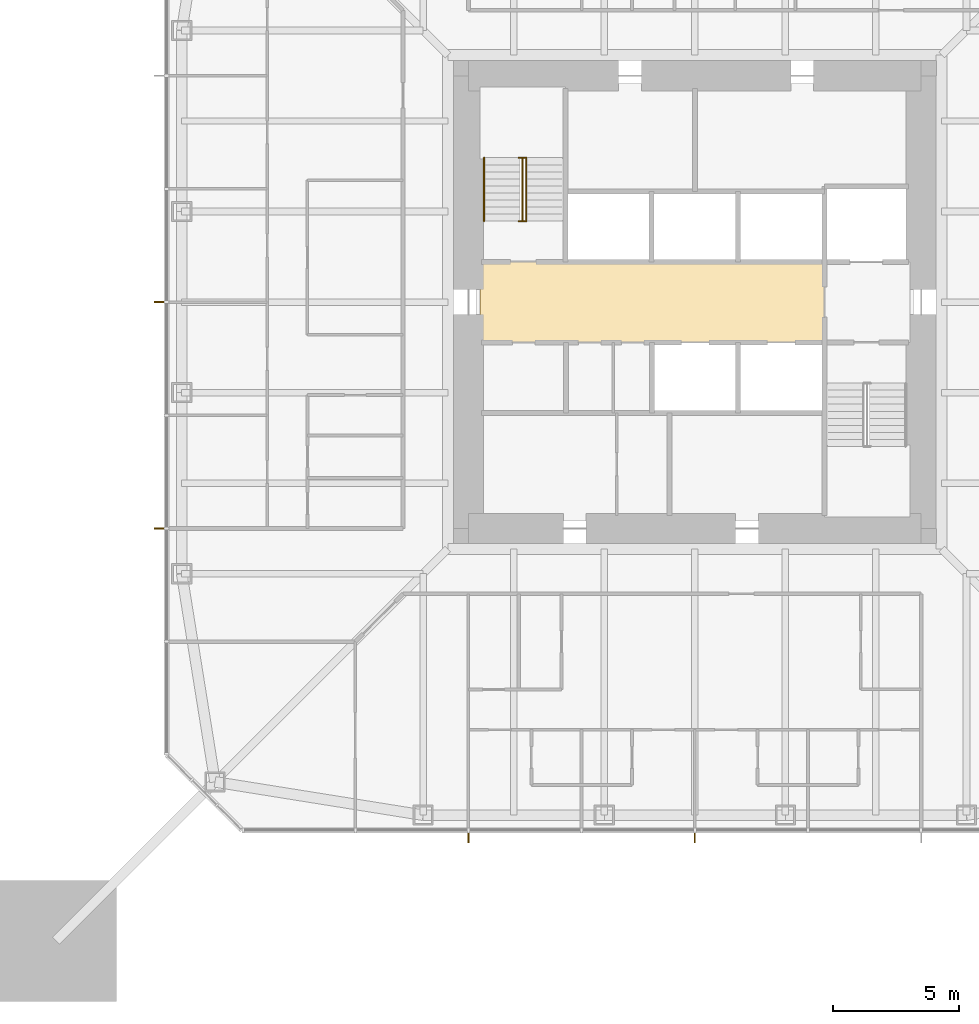
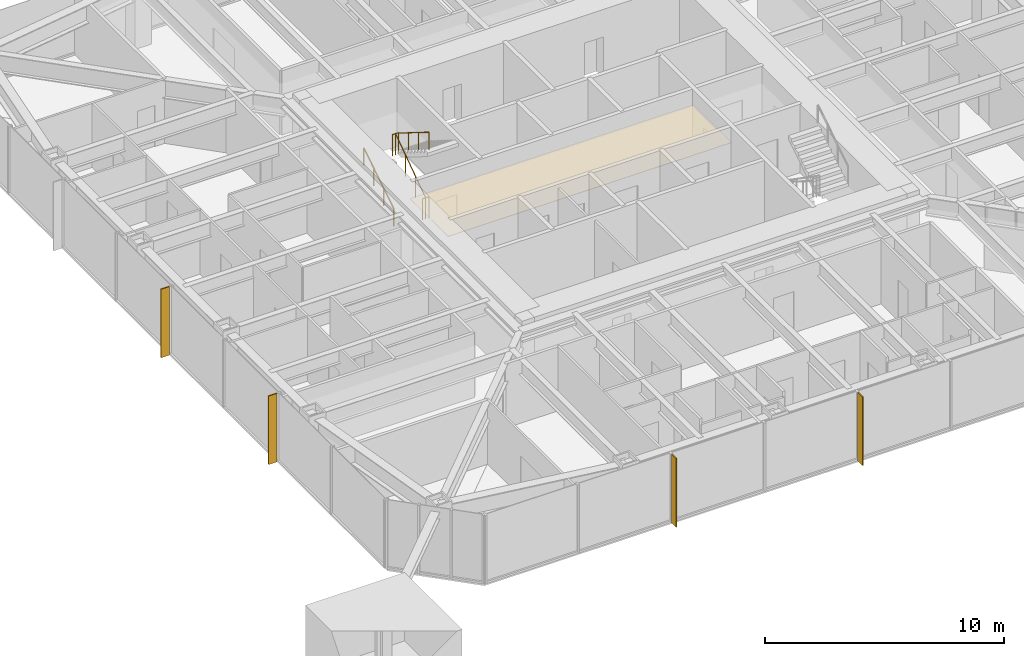
# One storey, part 23 of 27: 4 shading devices, 3 railings, 1 covering.
"""IFC4 building model written with IfcOpenShell, lengths in metres."""

import ifcopenshell
import ifcopenshell.guid

model = None  # the IFC model being written
_history = None  # IfcOwnerHistory: only IFC2X3 demands one
_inside = {}  # id of a spatial element -> (the spatial element, [elements in it])
_under = {}  # id of a project, library or spatial element -> (it, [spatial elements below it])
_declared = {}  # id of a project -> (the project, [libraries it declares])
_typed = {}  # id of a type object -> (the type object, [elements of that type])
_made_of = {}  # id of a material, layer set ... -> (it, [elements and type objects made of it])


def new_model(schema):
    """Start an empty IFC model of exactly this schema.

    Asked for "IFC4X3", IfcOpenShell would pick the latest addendum, in which some entities
    have other attributes; the version numbers below select the first issue.
    IFC2X3 requires an IfcOwnerHistory on every rooted entity: one is made here for all.
    """
    global model, _history
    if schema == "IFC4X3":
        model = ifcopenshell.file(schema_version=(4, 3, 0, 0))
    else:
        model = ifcopenshell.file(schema=schema)
    _inside.clear()
    _under.clear()
    _declared.clear()
    _typed.clear()
    _made_of.clear()
    _history = None
    if model.schema == "IFC2X3":
        org = make("IfcOrganization", Name="unknown")
        user = make(
            "IfcPersonAndOrganization",
            ThePerson=make("IfcPerson", FamilyName="unknown"),
            TheOrganization=org,
        )
        app = make(
            "IfcApplication",
            ApplicationDeveloper=org,
            Version="unknown",
            ApplicationFullName="unknown",
            ApplicationIdentifier="unknown",
        )
        _history = make(
            "IfcOwnerHistory",
            OwningUser=user,
            OwningApplication=app,
            ChangeAction="ADDED",
            CreationDate=0,
        )
    return model


def make(cls, **values):
    """One entity of the class cls with the attributes given. An attribute that is None is left unset."""
    return model.create_entity(
        cls, **{name: value for name, value in values.items() if value is not None}
    )


def rooted(cls, **values):
    """An entity with a GlobalId (a new one), such as an element, a storey or a relation."""
    return make(cls, GlobalId=ifcopenshell.guid.new(), OwnerHistory=_history, **values)


def si_unit(unit_type, name, prefix=None):
    """IfcSIUnit, for example si_unit("LENGTHUNIT", "METRE", prefix="MILLI")."""
    return make("IfcSIUnit", UnitType=unit_type, Prefix=prefix, Name=name)


def assignment(units):
    """IfcUnitAssignment: the units of a project."""
    return None if units is None else make("IfcUnitAssignment", Units=units)


def point(xyz):
    """IfcCartesianPoint."""
    return None if xyz is None else make("IfcCartesianPoint", Coordinates=xyz)


def direction(xyz):
    """IfcDirection."""
    return None if xyz is None else make("IfcDirection", DirectionRatios=xyz)


def frame(location, z_axis=None, x_axis=None):
    """IfcAxis2Placement3D, a coordinate frame: its origin and axes. An axis left out is left unset."""
    return make(
        "IfcAxis2Placement3D",
        Location=point(location),
        Axis=direction(z_axis),
        RefDirection=direction(x_axis),
    )


def frame_2d(location, x_axis=None):
    """IfcAxis2Placement2D, a coordinate frame in the plane: its origin and x axis."""
    return make(
        "IfcAxis2Placement2D", Location=point(location), RefDirection=direction(x_axis)
    )


def origin():
    """The frame at (0, 0, 0) with its axes left unset."""
    return frame((0.0, 0.0, 0.0))


def origin_2d():
    """The frame at (0, 0) in the plane with its x axis left unset."""
    return frame_2d((0.0, 0.0))


def place(relative_to, where):
    """IfcLocalPlacement: puts the frame where relative to a parent placement (None: the world)."""
    return make(
        "IfcLocalPlacement", PlacementRelTo=relative_to, RelativePlacement=where
    )


def context(
    kind, dimensions, precision=None, world=None, true_north=None, identifier=None
):
    """IfcGeometricRepresentationContext, for example the 3D "Model" context."""
    return make(
        "IfcGeometricRepresentationContext",
        ContextIdentifier=identifier,
        ContextType=kind,
        CoordinateSpaceDimension=dimensions,
        Precision=precision,
        WorldCoordinateSystem=world,
        TrueNorth=true_north,
    )


def subcontext(parent, identifier, kind, view, scale=None):
    """IfcGeometricRepresentationSubContext, for example "Body" below "Model"."""
    return make(
        "IfcGeometricRepresentationSubContext",
        ContextIdentifier=identifier,
        ContextType=kind,
        ParentContext=parent,
        TargetScale=scale,
        TargetView=view,
    )


def project(units=None, contexts=None):
    """IfcProject with its units and contexts."""
    return rooted(
        "IfcProject",
        Name="project",
        RepresentationContexts=contexts,
        UnitsInContext=assignment(units),
    )


def spatial(cls, under=None, at=None, **own):
    """A site, building, storey or space (cls), placed at a placement, below another one or the project."""
    s = rooted(cls, ObjectPlacement=at, **own)
    if under is not None:
        _under.setdefault(under.id(), (under, []))[1].append(s)
    return s


def polyline(points):
    """IfcPolyline through the points."""
    return make("IfcPolyline", Points=[point(p) for p in points])


def profile(cls, at=None, kind="AREA", **sizes):
    """A parametric profile (cls). Its sizes go by their IFC names, for example OverallWidth=200.0."""
    return make(cls, ProfileType=kind, Position=at, **sizes)


def rectangle(**sizes):
    """IfcRectangleProfileDef."""
    return profile("IfcRectangleProfileDef", **sizes)


def circle(**sizes):
    """IfcCircleProfileDef."""
    return profile("IfcCircleProfileDef", **sizes)


def outline(outer, holes=None, kind="AREA"):
    """IfcArbitraryClosedProfileDef: a profile drawn as a closed curve; with holes, ...WithVoids."""
    if holes is None:
        return make("IfcArbitraryClosedProfileDef", ProfileType=kind, OuterCurve=outer)
    return make(
        "IfcArbitraryProfileDefWithVoids",
        ProfileType=kind,
        OuterCurve=outer,
        InnerCurves=holes,
    )


def extrude(swept, where, along, depth):
    """IfcExtrudedAreaSolid: the profile swept, set in the frame where, extruded along a direction by depth."""
    return make(
        "IfcExtrudedAreaSolid",
        SweptArea=swept,
        Position=where,
        ExtrudedDirection=direction(along),
        Depth=depth,
    )


def shape(context_of_items, identifier, shape_type, items):
    """IfcShapeRepresentation: the items that make up one representation, for example the "Body"."""
    return make(
        "IfcShapeRepresentation",
        ContextOfItems=context_of_items,
        RepresentationIdentifier=identifier,
        RepresentationType=shape_type,
        Items=items,
    )


def material(Name=None, Category=None):
    """IfcMaterial."""
    return make("IfcMaterial", Name=Name, Category=Category)


def layer(
    of_material, thickness, ventilated=None, Name=None, Category=None, Priority=None
):
    """IfcMaterialLayer: one layer of a wall or slab, of a material (None: an air gap)."""
    return make(
        "IfcMaterialLayer",
        Material=of_material,
        LayerThickness=thickness,
        IsVentilated=ventilated,
        Name=Name,
        Category=Category,
        Priority=Priority,
    )


def layer_set(layers, Name=None):
    """IfcMaterialLayerSet."""
    return make("IfcMaterialLayerSet", MaterialLayers=layers, LayerSetName=Name)


def constituent(of_material, Name=None, Category=None, fraction=None):
    """IfcMaterialConstituent: one of the materials an element consists of."""
    return make(
        "IfcMaterialConstituent",
        Name=Name,
        Material=of_material,
        Fraction=fraction,
        Category=Category,
    )


def constituent_set(constituents=None, Name=None):
    """IfcMaterialConstituentSet."""
    return make(
        "IfcMaterialConstituentSet", Name=Name, MaterialConstituents=constituents
    )


def made_of(thing, what):
    """Note that an element or type object is made of a material, layer set ...; save() writes the relation."""
    if what is not None:
        _made_of.setdefault(what.id(), (what, []))[1].append(thing)
    return thing


def type_object(cls, material=None, **own):
    """A type object (cls), such as IfcWallType, which elements share."""
    return made_of(rooted(cls, **own), material)


def element(
    cls,
    number,
    at=None,
    inside=None,
    cuts=None,
    type_object=None,
    material=None,
    context=None,
    identifier="Body",
    shape_type=None,
    held_by="IfcProductDefinitionShape",
    body=None,
    shapes=None,
    **own,
):
    """One element of the class cls, such as IfcWall. Its Tag is "e" and its number.

    at: its placement. inside: the storey or other place that contains it. cuts: it is an
    opening in that element (IfcRelVoidsElement). A single representation is given by context,
    identifier, shape_type and body (its items); several are given by shapes. held_by: the class
    of the entity that holds the representations. save() writes the other relations.
    """
    e = rooted(cls, Tag="e%d" % number, ObjectPlacement=at, **own)
    if body is not None:
        shapes = [shape(context, identifier, shape_type, body)]
    if shapes is not None:
        e.Representation = make(held_by, Representations=shapes)
    if inside is not None:
        _inside.setdefault(inside.id(), (inside, []))[1].append(e)
    if cuts is not None:
        rooted(
            "IfcRelVoidsElement", RelatingBuildingElement=cuts, RelatedOpeningElement=e
        )
    if type_object is not None:
        _typed.setdefault(type_object.id(), (type_object, []))[1].append(e)
    return made_of(e, material)


def aggregate(whole, parts):
    """IfcRelAggregates: a whole, such as a stair, and the parts it consists of."""
    return rooted("IfcRelAggregates", RelatingObject=whole, RelatedObjects=parts)


def save(model, path):
    """Write the relations noted so far, then the file.

    IfcRelAggregates (storeys below a building ...), IfcRelContainedInSpatialStructure (elements
    in a storey), IfcRelDefinesByType, IfcRelAssociatesMaterial and IfcRelDeclares: one each for
    every whole, place, type object, material and project.
    """
    for whole, parts in _under.values():
        aggregate(whole, parts)
    for where, things in _inside.values():
        rooted(
            "IfcRelContainedInSpatialStructure",
            RelatedElements=things,
            RelatingStructure=where,
        )
    for kind, things in _typed.values():
        rooted("IfcRelDefinesByType", RelatedObjects=things, RelatingType=kind)
    for what, things in _made_of.values():
        rooted("IfcRelAssociatesMaterial", RelatedObjects=things, RelatingMaterial=what)
    for by, libraries in _declared.values():
        rooted("IfcRelDeclares", RelatingContext=by, RelatedDefinitions=libraries)
    model.write(path)


model = new_model("IFC4")

# Units and contexts
model_context = context("Model", 3, precision=1e-05, world=origin(), true_north=direction((0.0, 1.0)))
body_context = subcontext(model_context, "Body", "Model", "MODEL_VIEW")
ifc_project = project(units=[si_unit("LENGTHUNIT", "METRE"), si_unit("AREAUNIT", "SQUARE_METRE"), si_unit("VOLUMEUNIT", "CUBIC_METRE"), si_unit("PLANEANGLEUNIT", "RADIAN"), si_unit("MASSUNIT", "GRAM", prefix="KILO")], contexts=[model_context])

# Site, building, storey
site_placement = place(None, origin())
site = spatial("IfcSite", under=ifc_project, at=site_placement, CompositionType="ELEMENT")
building_placement = place(site_placement, origin())
building = spatial("IfcBuilding", under=site, at=building_placement, Name="Iwan Alto Co-Living Towers", CompositionType="ELEMENT")
storey_placement = place(building_placement, frame((0.0, 0.0, 94.5)))
storey = spatial("IfcBuildingStorey", under=building, at=storey_placement, Name="L25", CompositionType="ELEMENT", Elevation=94.5)

# Covering
ifc_material_1 = material(Name="Mineral fibre acoustic tiles on steel grid", Category="steel")
ifc_layer_1 = layer(ifc_material_1, 0.02001953125)
ifc_layer_set_1 = layer_set([ifc_layer_1], Name="ACOUSTIC TILE CEILING 20")
covering_type = type_object("IfcCoveringType", Name="ACOUSTIC TILE CEILING 20", PredefinedType="CEILING", material=ifc_layer_set_1)
covering_placement = place(storey_placement, frame((0.0, 0.0, 2.60009765625)))
element("IfcCovering", 1, at=covering_placement, inside=storey, type_object=covering_type, Name="Ceiling Lift lobby L25", PredefinedType="CEILING", context=body_context, shape_type="SweptSolid", body=[
    extrude(outline(polyline([(-8.550048828125, -1.60009765625), (-8.550048828125, 1.60009765625), (5.14990234375, 1.60009765625), (5.14990234375, -1.60009765625), (-8.550048828125, -1.60009765625)])), origin(), (0.0, 0.0, 1.0), 0.02001953125),
])

# Shading devices
ifc_material_2 = material(Name="Aluminium 6063-T6 bronze anodised", Category="aluminium")
ifc_layer_2 = layer(ifc_material_2, 0.050048828125)
ifc_layer_set_2 = layer_set([ifc_layer_2], Name="BRONZE FIN 50X400")
shading_device_type = type_object("IfcShadingDeviceType", Name="BRONZE FIN 50X400", PredefinedType="USERDEFINED", material=ifc_layer_set_2)
for number, where, z_axis, x_axis, name in (
    (2, (-9.0, -21.300048828125, 0.0), (0.0, 0.0, 1.0), (1.0, 0.0, 0.0), "Bronze fin L25"),
    (3, (0.0, -21.300048828125, 0.0), (0.0, 0.0, 1.0), (1.0, 0.0, 0.0), "Bronze fin L25"),
    (4, (-21.300048828125, 0.0, 0.0), (0.0, 0.0, 1.0), (0.0, -1.0, 0.0), "Bronze fin L25"),
    (5, (-21.300048828125, -9.0, 0.0), (0.0, 0.0, 1.0), (0.0, -1.0, 0.0), "Bronze fin L25"),
):
    element("IfcShadingDevice", number, at=place(storey_placement, frame(where, z_axis=z_axis, x_axis=x_axis)), inside=storey, type_object=shading_device_type, Name=name, ObjectType="LOUVER", PredefinedType="USERDEFINED", context=body_context, shape_type="SweptSolid", body=[
        extrude(rectangle(XDim=0.050048828125, YDim=0.39990234375, at=origin_2d()), origin(), (0.0, 0.0, 1.0), 3.5),
    ])

# Railings
ifc_material_3 = material(Name="Steel ASTM A500 Gr C", Category="steel")
ifc_constituent_1 = constituent(ifc_material_3, Name="Rails and posts", Category="Framing")
ifc_material_4 = material(Name="Steel ASTM A36", Category="steel")
ifc_constituent_2 = constituent(ifc_material_4, Name="Bar infill", Category="Infill")
ifc_constituent_set = constituent_set(constituents=[ifc_constituent_1, ifc_constituent_2], Name="STAIR GUARD 1100")
railing_type_1 = type_object("IfcRailingType", Name="STAIR GUARD 1100", PredefinedType="GUARDRAIL", material=ifc_constituent_set)
railing_1_placement = place(storey_placement, frame((-6.85009765625, 3.219970703125, 0.0)))
element("IfcRailing", 6, at=railing_1_placement, inside=storey, type_object=railing_type_1, Name="Stair T1-S1 well guard L25", PredefinedType="GUARDRAIL", context=body_context, shape_type="SweptSolid", body=[
    extrude(circle(Radius=0.02392578125, at=origin_2d()), frame((0.0, 0.0, 1.076171875), z_axis=(0.0, 0.821372036852, 0.570392826987), x_axis=(-1.0, 0.0, 0.0)), (0.0, 0.0, 1.0), 3.068115234375),
    extrude(circle(Radius=0.02392578125, at=origin_2d()), frame((-0.14990234375, 0.0, 1.076171875), z_axis=(1.0, 0.0, 0.0), x_axis=(0.0, 1.0, 0.0)), (0.0, 0.0, 1.0), 0.300048828125),
    extrude(circle(Radius=0.02392578125, at=origin_2d()), frame((-0.14990234375, 2.52001953125, 2.826171875), z_axis=(1.0, 0.0, 0.0), x_axis=(0.0, 1.0, 0.0)), (0.0, 0.0, 1.0), 0.300048828125),
    extrude(circle(Radius=0.02099609375, at=origin_2d()), origin(), (0.0, 0.0, 1.0), 1.052001953125),
    extrude(circle(Radius=0.02099609375, at=origin_2d()), frame((0.0, 0.840087890625, 0.583251953125)), (0.0, 0.0, 1.0), 1.052001953125),
    extrude(circle(Radius=0.02099609375, at=origin_2d()), frame((0.0, 1.679931640625, 1.166748046875)), (0.0, 0.0, 1.0), 1.052001953125),
    extrude(circle(Radius=0.02099609375, at=origin_2d()), frame((0.0, 2.52001953125, 1.75)), (0.0, 0.0, 1.0), 1.052001953125),
    extrude(circle(Radius=0.02099609375, at=origin_2d()), frame((-0.14990234375, 0.0, 0.0)), (0.0, 0.0, 1.0), 1.052001953125),
    extrude(circle(Radius=0.02099609375, at=origin_2d()), frame((0.150146484375, 0.0, 0.0)), (0.0, 0.0, 1.0), 1.052001953125),
    extrude(circle(Radius=0.02099609375, at=origin_2d()), frame((-0.14990234375, 2.52001953125, 1.75)), (0.0, 0.0, 1.0), 1.052001953125),
    extrude(circle(Radius=0.02099609375, at=origin_2d()), frame((0.150146484375, 2.52001953125, 1.75)), (0.0, 0.0, 1.0), 1.052001953125),
])
ifc_material_5 = material(Name="Steel ASTM A500 Gr C", Category="steel")
railing_type_2 = type_object("IfcRailingType", Name="STAIR HANDRAIL 900", PredefinedType="HANDRAIL", material=ifc_material_5)
railing_2_placement = place(storey_placement, frame((-8.3798828125, 3.219970703125, 0.175048828125)))
element("IfcRailing", 7, at=railing_2_placement, inside=storey, type_object=railing_type_2, Name="Stair T1-S1 handrail 1 L25", PredefinedType="HANDRAIL", context=body_context, shape_type="SweptSolid", body=[
    extrude(circle(Radius=0.02392578125, at=origin_2d()), frame((0.0, 0.0, 0.8759765625), z_axis=(0.0, 0.848007534815, 0.529984170421), x_axis=(-1.0, 0.0, 0.0)), (0.0, 0.0, 1.0), 2.9716796875),
    extrude(circle(Radius=0.02099609375, at=origin_2d()), origin(), (0.0, 0.0, 1.0), 0.851806640625),
    extrude(circle(Radius=0.02099609375, at=origin_2d()), frame((0.0, 0.840087890625, 0.52490234375)), (0.0, 0.0, 1.0), 0.851806640625),
    extrude(circle(Radius=0.02099609375, at=origin_2d()), frame((0.0, 1.679931640625, 1.050048828125)), (0.0, 0.0, 1.0), 0.851806640625),
    extrude(circle(Radius=0.02099609375, at=origin_2d()), frame((0.0, 2.52001953125, 1.574951171875)), (0.0, 0.0, 1.0), 0.851806640625),
])
railing_3_placement = place(storey_placement, frame((-6.699951171875, 5.739990234375, 1.925048828125)))
element("IfcRailing", 8, at=railing_3_placement, inside=storey, type_object=railing_type_2, Name="Stair T1-S1 handrail 2 L25", PredefinedType="HANDRAIL", context=body_context, shape_type="SweptSolid", body=[
    extrude(circle(Radius=0.02392578125, at=origin_2d()), frame((0.0, 0.0, 0.8759765625), z_axis=(0.0, -0.848007534815, 0.529984170421), x_axis=(1.0, 0.0, 0.0)), (0.0, 0.0, 1.0), 2.9716796875),
    extrude(circle(Radius=0.02099609375, at=origin_2d()), origin(), (0.0, 0.0, 1.0), 0.851806640625),
    extrude(circle(Radius=0.02099609375, at=origin_2d()), frame((0.0, -0.840087890625, 0.52490234375)), (0.0, 0.0, 1.0), 0.851806640625),
    extrude(circle(Radius=0.02099609375, at=origin_2d()), frame((0.0, -1.679931640625, 1.050048828125)), (0.0, 0.0, 1.0), 0.851806640625),
    extrude(circle(Radius=0.02099609375, at=origin_2d()), frame((0.0, -2.52001953125, 1.574951171875)), (0.0, 0.0, 1.0), 0.851806640625),
])

save(model, "model.ifc")
